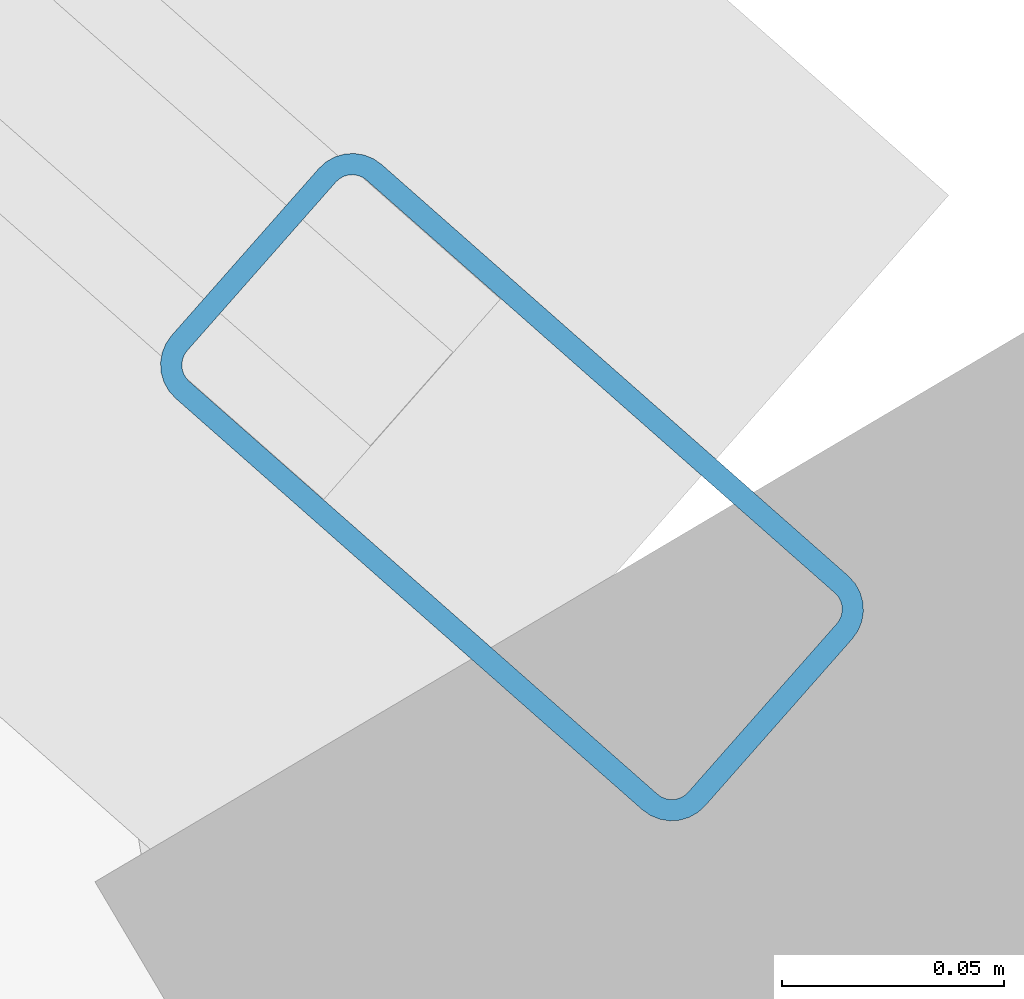
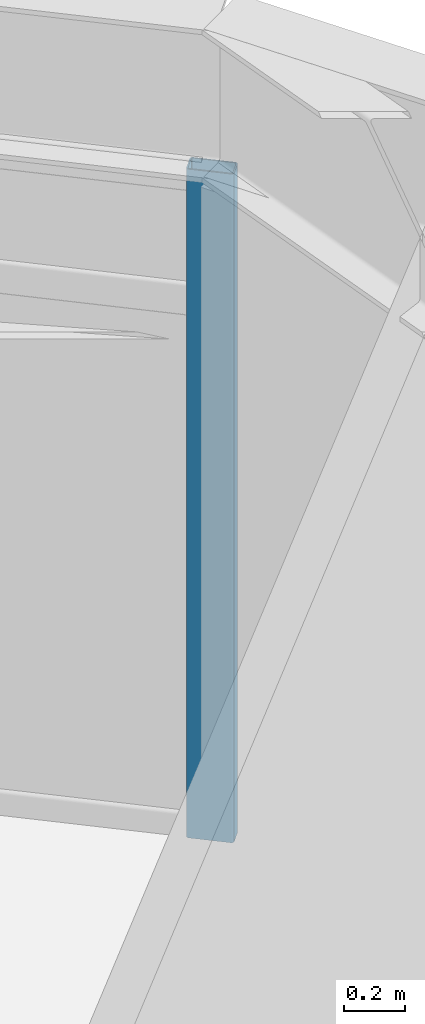
# One storey, part 10 of 21: 1 member, 1 element without a shape of its own.
"""IFC4 building model written with IfcOpenShell, lengths in metres."""

from ifc_helpers import new_model, si_unit, direction, frame, origin, origin_2d, place, context, subcontext, project, spatial, hollow_rectangle, extrude, material, layer, layer_set, material_profile, profile_set, type_object, element, aggregate, save


model = new_model("IFC4")

# Units and contexts
model_context = context("Model", 3, precision=1e-05, world=origin(), true_north=direction((0.0, 1.0)))
body_context = subcontext(model_context, "Body", "Model", "MODEL_VIEW")
ifc_project = project(units=[si_unit("LENGTHUNIT", "METRE"), si_unit("AREAUNIT", "SQUARE_METRE"), si_unit("VOLUMEUNIT", "CUBIC_METRE"), si_unit("PLANEANGLEUNIT", "RADIAN"), si_unit("MASSUNIT", "GRAM", prefix="KILO")], contexts=[model_context])

# Site, building, storey
site_placement = place(None, origin())
site = spatial("IfcSite", under=ifc_project, at=site_placement, CompositionType="ELEMENT")
building_placement = place(site_placement, origin())
building = spatial("IfcBuilding", under=site, at=building_placement, Name="Soratama Intermodal Tower", CompositionType="ELEMENT")
storey_placement = place(building_placement, frame((0.0, 0.0, 146.199951171875)))
storey = spatial("IfcBuildingStorey", under=building, at=storey_placement, Name="L35", CompositionType="ELEMENT", Elevation=146.199951171875)

# Curtain wall, member
ifc_material_1 = material(Name="Double-glazed aluminium curtain wall", Category="aluminium")
ifc_layer = layer(ifc_material_1, 0.159912109375)
ifc_layer_set = layer_set([ifc_layer], Name="Double-glazed aluminium curtain wall")
curtain_wall_type = type_object("IfcCurtainWallType", Name="CW-SYS-4", PredefinedType="NOTDEFINED", material=ifc_layer_set)
curtain_wall_placement = place(storey_placement, origin())
curtain_wall = element("IfcCurtainWall", 1, at=curtain_wall_placement, inside=storey, type_object=curtain_wall_type, Name="L35 Faceted Curtain Wall F01", PredefinedType="NOTDEFINED")
ifc_material_2 = material(Name="Anodised aluminium AA 6063-T6", Category="aluminium")
ifc_material_profile = material_profile(ifc_material_2, hollow_rectangle(XDim=0.070068359375, YDim=0.159912109375, WallThickness=0.0048828125, InnerFilletRadius=0.0048828125, OuterFilletRadius=0.010009765625, at=origin_2d()), Name="CWM160X70X5")
ifc_profile_set = profile_set([ifc_material_profile], Name="Anodised aluminium AA 6063-T6")
member_type = type_object("IfcMemberType", Name="MT-CWM-4", PredefinedType="MULLION", material=ifc_profile_set)
member_placement = place(storey_placement, frame((59.857421875, 35.543212890625, 0.0), z_axis=(0.0, 0.0, 1.0), x_axis=(-0.661309138052, -0.750113474035, 0.0)))
member = element("IfcMember", 2, at=member_placement, type_object=member_type, Name="CW-4 mullion 1", PredefinedType="MULLION", context=body_context, shape_type="SweptSolid", body=[
    extrude(hollow_rectangle(XDim=0.070068359375, YDim=0.159912109375, WallThickness=0.0048828125, InnerFilletRadius=0.0048828125, OuterFilletRadius=0.010009765625, at=origin_2d()), origin(), (0.0, 0.0, 1.0), 2.678955078125),
])
aggregate(curtain_wall, [member])

save(model, "model.ifc")
